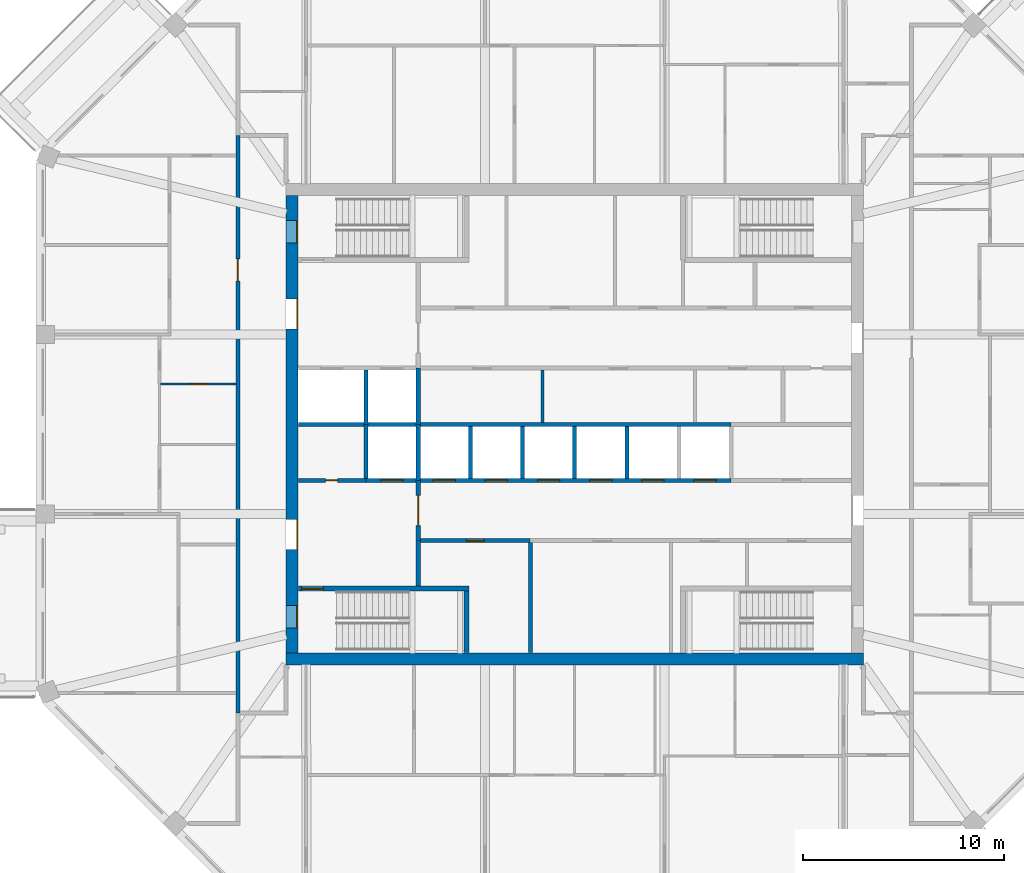
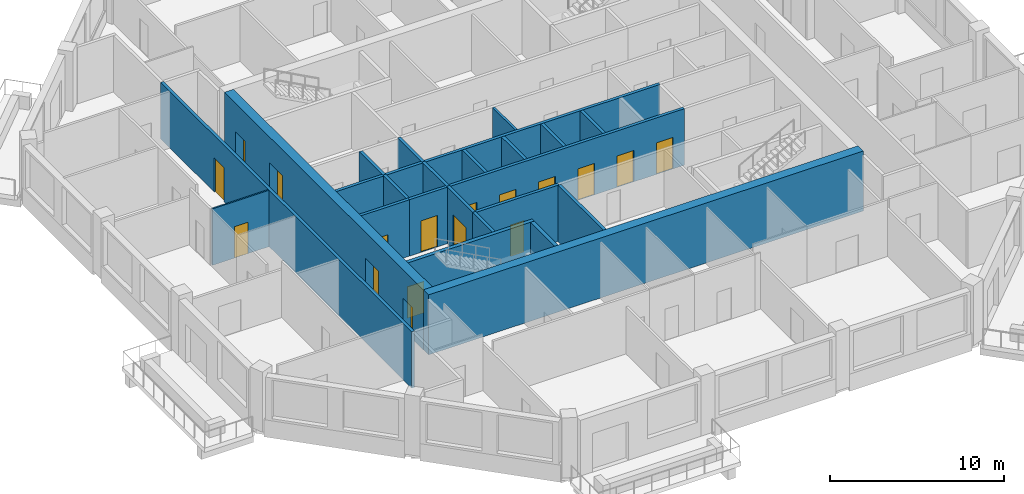
# One storey, part 4 of 11: 22 walls, 17 doors, 17 openings.
"""IFC4 building model written with IfcOpenShell, lengths in metres."""

from ifc_helpers import new_model, si_unit, direction, frame, frame_2d, origin, place, context, subcontext, project, spatial, rectangle, extrude, material, layer, layer_set, type_object, element, fill, save


model = new_model("IFC4")

# Units and contexts
model_context = context("Model", 3, precision=1e-05, world=origin(), true_north=direction((0.0, 1.0)))
body_context = subcontext(model_context, "Body", "Model", "MODEL_VIEW")
ifc_project = project(units=[si_unit("LENGTHUNIT", "METRE"), si_unit("AREAUNIT", "SQUARE_METRE"), si_unit("VOLUMEUNIT", "CUBIC_METRE"), si_unit("PLANEANGLEUNIT", "RADIAN"), si_unit("MASSUNIT", "GRAM", prefix="KILO")], contexts=[model_context])

# Site, building, storey
site_placement = place(None, origin())
site = spatial("IfcSite", under=ifc_project, at=site_placement, CompositionType="ELEMENT")
building_placement = place(site_placement, origin())
building = spatial("IfcBuilding", under=site, at=building_placement, Name="Msitu Wima Residences", CompositionType="ELEMENT")
storey_placement = place(building_placement, frame((0.0, 0.0, 302.10009765625)))
storey = spatial("IfcBuildingStorey", under=building, at=storey_placement, Name="L70", CompositionType="ELEMENT", Elevation=302.10009765625)

# Wall
ifc_material_1 = material(Name="Concrete C50/60", Category="concrete")
ifc_layer_1 = layer(ifc_material_1, 0.60009765625)
ifc_layer_set_1 = layer_set([ifc_layer_1], Name="Concrete C50/60")
wall_type_1 = type_object("IfcWallType", Name="Core wall CW600 C50/60", PredefinedType="SHEAR", material=ifc_layer_set_1)
wall_1_placement = place(storey_placement, frame((-14.39990234375, -11.699951171875, 0.0), z_axis=(0.0, 0.0, 1.0), x_axis=(1.0, 0.0, 0.0)))
element("IfcWall", 1, at=wall_1_placement, inside=storey, type_object=wall_type_1, Name="Core wall", PredefinedType="SHEAR", context=body_context, shape_type="SweptSolid", body=[
    extrude(rectangle(XDim=28.7998046875, YDim=0.60009765625, at=frame_2d((14.39990234375, 0.0))), origin(), (0.0, 0.0, 1.0), 4.199951171875),
])

# Wall, openings, doors
wall_2_placement = place(storey_placement, frame((-14.10009765625, -11.39990234375, 0.0), z_axis=(0.0, 0.0, 1.0), x_axis=(0.0, 1.0, 0.0)))
wall_2 = element("IfcWall", 2, at=wall_2_placement, inside=storey, type_object=wall_type_1, Name="Core wall", PredefinedType="SHEAR", context=body_context, shape_type="SweptSolid", body=[
    extrude(rectangle(XDim=22.7998046875, YDim=0.60009765625, at=frame_2d((11.39990234375, 0.0))), origin(), (0.0, 0.0, 1.0), 4.199951171875),
])
opening_1_placement = place(wall_2_placement, frame((20.449951171875, 0.0, 0.0)))
opening_1 = element("IfcOpeningElement", 3, at=opening_1_placement, cuts=wall_2, Name="Opening D68-70.078", PredefinedType="OPENING", context=body_context, shape_type="SweptSolid", body=[
    extrude(rectangle(XDim=1.10009765625, YDim=2.199951171875, at=frame_2d((0.550048828125, 1.10009765625))), frame((0.0, 0.31005859375, 0.0), z_axis=(0.0, -1.0, 0.0), x_axis=(1.0, 0.0, 0.0)), (0.0, 0.0, 1.0), 0.6201171875),
])
opening_2_placement = place(wall_2_placement, frame((1.25, 0.0, 0.0)))
opening_2 = element("IfcOpeningElement", 4, at=opening_2_placement, cuts=wall_2, Name="Opening D68-70.080", PredefinedType="OPENING", context=body_context, shape_type="SweptSolid", body=[
    extrude(rectangle(XDim=1.10009765625, YDim=2.199951171875, at=frame_2d((0.550048828125, 1.10009765625))), frame((0.0, 0.31005859375, 0.0), z_axis=(0.0, -1.0, 0.0), x_axis=(1.0, 0.0, 0.0)), (0.0, 0.0, 1.0), 0.6201171875),
])
opening_3_placement = place(wall_2_placement, frame((16.14990234375, 0.0, 0.0)))
opening_3 = element("IfcOpeningElement", 5, at=opening_3_placement, cuts=wall_2, Name="Opening D68-70.058", PredefinedType="OPENING", context=body_context, shape_type="SweptSolid", body=[
    extrude(rectangle(XDim=1.5, YDim=2.39990234375, at=frame_2d((0.75, 1.199951171875))), frame((0.0, 0.31005859375, 0.0), z_axis=(0.0, -1.0, 0.0), x_axis=(1.0, 0.0, 0.0)), (0.0, 0.0, 1.0), 0.6201171875),
])
opening_4_placement = place(wall_2_placement, frame((5.14990234375, 0.0, 0.0)))
opening_4 = element("IfcOpeningElement", 6, at=opening_4_placement, cuts=wall_2, Name="Opening D68-70.060", PredefinedType="OPENING", context=body_context, shape_type="SweptSolid", body=[
    extrude(rectangle(XDim=1.5, YDim=2.39990234375, at=frame_2d((0.75, 1.199951171875))), frame((0.0, 0.31005859375, 0.0), z_axis=(0.0, -1.0, 0.0), x_axis=(1.0, 0.0, 0.0)), (0.0, 0.0, 1.0), 0.6201171875),
])
ifc_material_2 = material(Name="Steel framed glazed door, fire resisting", Category="steel")
door_type_1 = type_object("IfcDoorType", Name="Lobby door D07 1500x2400", OperationType="DOUBLE_DOOR_SINGLE_SWING", PredefinedType="DOOR", material=ifc_material_2)
door_1_placement = place(opening_3_placement, origin())
door_1 = element("IfcDoor", 7, at=door_1_placement, inside=storey, type_object=door_type_1, Name="Lobby door", OperationType="DOUBLE_DOOR_SINGLE_SWING", OverallHeight=2.39990234375, OverallWidth=1.5, PredefinedType="DOOR", context=body_context, shape_type="SweptSolid", body=[
    extrude(rectangle(XDim=1.5, YDim=2.39990234375, at=frame_2d((0.75, 1.199951171875))), frame((0.0, -0.2451171875, 0.0), z_axis=(0.0, -1.0, 0.0), x_axis=(1.0, 0.0, 0.0)), (0.0, 0.0, 1.0), 0.050048828125),
])
fill(opening_3, door_1)
door_2_placement = place(opening_4_placement, origin())
door_2 = element("IfcDoor", 8, at=door_2_placement, inside=storey, type_object=door_type_1, Name="Lobby door", OperationType="DOUBLE_DOOR_SINGLE_SWING", OverallHeight=2.39990234375, OverallWidth=1.5, PredefinedType="DOOR", context=body_context, shape_type="SweptSolid", body=[
    extrude(rectangle(XDim=1.5, YDim=2.39990234375, at=frame_2d((0.75, 1.199951171875))), frame((0.0, -0.2451171875, 0.0), z_axis=(0.0, -1.0, 0.0), x_axis=(1.0, 0.0, 0.0)), (0.0, 0.0, 1.0), 0.050048828125),
])
fill(opening_4, door_2)
ifc_material_3 = material(Name="Steel door, fire resisting, panic bar", Category="steel")
door_type_2 = type_object("IfcDoorType", Name="Stair door D06 1100x2200", OperationType="SINGLE_SWING_LEFT", PredefinedType="DOOR", material=ifc_material_3)
door_3_placement = place(opening_1_placement, origin())
door_3 = element("IfcDoor", 9, at=door_3_placement, inside=storey, type_object=door_type_2, Name="Stair door", OperationType="SINGLE_SWING_RIGHT", OverallHeight=2.199951171875, OverallWidth=1.10009765625, PredefinedType="DOOR", context=body_context, shape_type="SweptSolid", body=[
    extrude(rectangle(XDim=1.10009765625, YDim=2.199951171875, at=frame_2d((0.550048828125, 1.10009765625))), frame((0.0, -0.2451171875, 0.0), z_axis=(0.0, -1.0, 0.0), x_axis=(1.0, 0.0, 0.0)), (0.0, 0.0, 1.0), 0.050048828125),
])
fill(opening_1, door_3)
door_4_placement = place(opening_2_placement, origin())
door_4 = element("IfcDoor", 10, at=door_4_placement, inside=storey, type_object=door_type_2, Name="Stair door", OperationType="SINGLE_SWING_LEFT", OverallHeight=2.199951171875, OverallWidth=1.10009765625, PredefinedType="DOOR", context=body_context, shape_type="SweptSolid", body=[
    extrude(rectangle(XDim=1.10009765625, YDim=2.199951171875, at=frame_2d((0.550048828125, 1.10009765625))), frame((0.0, -0.2451171875, 0.0), z_axis=(0.0, -1.0, 0.0), x_axis=(1.0, 0.0, 0.0)), (0.0, 0.0, 1.0), 0.050048828125),
])
fill(opening_2, door_4)

# Wall, opening, door
ifc_material_4 = material(Name="Plaster")
ifc_layer_2 = layer(ifc_material_4, 0.011962890625, Name="Plaster")
ifc_material_5 = material(Name="Concrete blockwork", Category="masonry")
ifc_layer_3 = layer(ifc_material_5, 0.176025390625, Name="Concrete blockwork")
ifc_layer_4 = layer(ifc_material_4, 0.011962890625, Name="Plaster")
ifc_layer_set_2 = layer_set([ifc_layer_2, ifc_layer_3, ifc_layer_4], Name="Concrete blockwork")
wall_type_2 = type_object("IfcWallType", Name="Corridor wall FW200", PredefinedType="PARTITIONING", material=ifc_layer_set_2)
wall_3_placement = place(storey_placement, frame((-16.800048828125, -14.39990234375, 0.0), z_axis=(0.0, 0.0, 1.0), x_axis=(0.0, 1.0, 0.0)))
wall_3 = element("IfcWall", 11, at=wall_3_placement, inside=storey, type_object=wall_type_2, Name="Corridor wall", PredefinedType="PARTITIONING", context=body_context, shape_type="SweptSolid", body=[
    extrude(rectangle(XDim=28.7998046875, YDim=0.199951171875, at=frame_2d((14.39990234375, 0.0))), origin(), (0.0, 0.0, 1.0), 3.949951171875),
])
opening_5_placement = place(wall_3_placement, frame((21.550048828125, 0.0, 0.0)))
opening_5 = element("IfcOpeningElement", 12, at=opening_5_placement, cuts=wall_3, Name="Opening D68-70.034", PredefinedType="OPENING", context=body_context, shape_type="SweptSolid", body=[
    extrude(rectangle(XDim=1.10009765625, YDim=2.39990234375, at=frame_2d((0.550048828125, 1.199951171875))), frame((0.0, 0.10986328125, 0.0), z_axis=(0.0, -1.0, 0.0), x_axis=(1.0, 0.0, 0.0)), (0.0, 0.0, 1.0), 0.219970703125),
])
ifc_material_6 = material(Name="Timber flush door, fire resisting, self-closing", Category="wood")
door_type_3 = type_object("IfcDoorType", Name="Flat entrance door D01 1100x2400", OperationType="SINGLE_SWING_LEFT", PredefinedType="DOOR", material=ifc_material_6)
door_5_placement = place(opening_5_placement, origin())
door_5 = element("IfcDoor", 13, at=door_5_placement, inside=storey, type_object=door_type_3, Name="Flat entrance door", OperationType="SINGLE_SWING_RIGHT", OverallHeight=2.39990234375, OverallWidth=1.10009765625, PredefinedType="DOOR", context=body_context, shape_type="SweptSolid", body=[
    extrude(rectangle(XDim=1.10009765625, YDim=2.39990234375, at=frame_2d((0.550048828125, 1.199951171875))), frame((0.0, 0.02490234375, 0.0), z_axis=(0.0, -1.0, 0.0), x_axis=(1.0, 0.0, 0.0)), (0.0, 0.0, 1.0), 0.050048828125),
])
fill(opening_5, door_5)

wall_4_placement = place(storey_placement, frame((-7.800048828125, -5.800048828125, 0.0), z_axis=(0.0, 0.0, 1.0), x_axis=(0.0, 1.0, 0.0)))
wall_4 = element("IfcWall", 14, at=wall_4_placement, inside=storey, type_object=wall_type_2, Name="Corridor wall", PredefinedType="PARTITIONING", context=body_context, shape_type="SweptSolid", body=[
    extrude(rectangle(XDim=3.0, YDim=0.199951171875, at=frame_2d((1.5, 0.0))), origin(), (0.0, 0.0, 1.0), 3.949951171875),
])
opening_6_placement = place(wall_4_placement, frame((0.75, 0.0, 0.0)))
opening_6 = element("IfcOpeningElement", 15, at=opening_6_placement, cuts=wall_4, Name="Opening D68-70.061", PredefinedType="OPENING", context=body_context, shape_type="SweptSolid", body=[
    extrude(rectangle(XDim=1.5, YDim=2.39990234375, at=frame_2d((0.75, 1.199951171875))), frame((0.0, 0.10986328125, 0.0), z_axis=(0.0, -1.0, 0.0), x_axis=(1.0, 0.0, 0.0)), (0.0, 0.0, 1.0), 0.219970703125),
])
door_6_placement = place(opening_6_placement, origin())
door_6 = element("IfcDoor", 16, at=door_6_placement, inside=storey, type_object=door_type_1, Name="Lobby door", OperationType="DOUBLE_DOOR_SINGLE_SWING", OverallHeight=2.39990234375, OverallWidth=1.5, PredefinedType="DOOR", context=body_context, shape_type="SweptSolid", body=[
    extrude(rectangle(XDim=1.5, YDim=2.39990234375, at=frame_2d((0.75, 1.199951171875))), frame((0.0, 0.02490234375, 0.0), z_axis=(0.0, -1.0, 0.0), x_axis=(1.0, 0.0, 0.0)), (0.0, 0.0, 1.0), 0.050048828125),
])
fill(opening_6, door_6)

# Wall
ifc_layer_5 = layer(ifc_material_4, 0.011962890625, Name="Plaster")
ifc_layer_6 = layer(ifc_material_5, 0.1259765625, Name="Concrete blockwork")
ifc_layer_7 = layer(ifc_material_4, 0.011962890625, Name="Plaster")
ifc_layer_set_3 = layer_set([ifc_layer_5, ifc_layer_6, ifc_layer_7], Name="Concrete blockwork")
wall_type_3 = type_object("IfcWallType", Name="Partition PW150", PredefinedType="PARTITIONING", material=ifc_layer_set_3)
wall_5_placement = place(storey_placement, frame((-1.60009765625, 0.10009765625, 0.0), z_axis=(0.0, 0.0, 1.0), x_axis=(0.0, 1.0, 0.0)))
element("IfcWall", 17, at=wall_5_placement, inside=storey, type_object=wall_type_3, Name="Partition", PredefinedType="PARTITIONING", context=body_context, shape_type="SweptSolid", body=[
    extrude(rectangle(XDim=2.599853515625, YDim=0.14990234375, at=frame_2d((1.2998046875, 0.0))), origin(), (0.0, 0.0, 1.0), 3.949951171875),
])

# Wall, opening, door
ifc_layer_8 = layer(ifc_material_4, 0.011962890625, Name="Plaster")
ifc_material_7 = material(Name="Reinforced concrete blockwork", Category="masonry")
ifc_layer_9 = layer(ifc_material_7, 0.176025390625, Name="Reinforced concrete blockwork")
ifc_layer_10 = layer(ifc_material_4, 0.011962890625, Name="Plaster")
ifc_layer_set_4 = layer_set([ifc_layer_8, ifc_layer_9, ifc_layer_10], Name="Reinforced concrete blockwork")
wall_type_4 = type_object("IfcWallType", Name="Plant and riser wall PL200", PredefinedType="PARTITIONING", material=ifc_layer_set_4)
wall_6_placement = place(storey_placement, frame((-13.77001953125, -2.800048828125, 0.0), z_axis=(0.0, 0.0, 1.0), x_axis=(1.0, 0.0, 0.0)))
wall_6 = element("IfcWall", 18, at=wall_6_placement, inside=storey, type_object=wall_type_4, Name="Plant and riser wall", PredefinedType="PARTITIONING", context=body_context, shape_type="SweptSolid", body=[
    extrude(rectangle(XDim=3.3701171875, YDim=0.199951171875, at=frame_2d((1.68505859375, 0.0))), origin(), (0.0, 0.0, 1.0), 3.949951171875),
])
opening_7_placement = place(wall_6_placement, frame((1.35009765625, 0.0, 0.0)))
opening_7 = element("IfcOpeningElement", 19, at=opening_7_placement, cuts=wall_6, Name="Opening D68-70.077", PredefinedType="OPENING", context=body_context, shape_type="SweptSolid", body=[
    extrude(rectangle(XDim=0.60009765625, YDim=2.0, at=frame_2d((0.300048828125, 1.0))), frame((0.0, 0.10986328125, 0.0), z_axis=(0.0, -1.0, 0.0), x_axis=(1.0, 0.0, 0.0)), (0.0, 0.0, 1.0), 0.219970703125),
])
ifc_material_8 = material(Name="Steel access door, fire resisting", Category="steel")
door_type_4 = type_object("IfcDoorType", Name="Riser access door D08 600x2000", OperationType="SINGLE_SWING_LEFT", PredefinedType="DOOR", material=ifc_material_8)
door_7_placement = place(opening_7_placement, origin())
door_7 = element("IfcDoor", 20, at=door_7_placement, inside=storey, type_object=door_type_4, Name="Riser access door", OperationType="SINGLE_SWING_RIGHT", OverallHeight=2.0, OverallWidth=0.60009765625, PredefinedType="DOOR", context=body_context, shape_type="SweptSolid", body=[
    extrude(rectangle(XDim=0.60009765625, YDim=2.0, at=frame_2d((0.300048828125, 1.0))), frame((0.0, 0.02490234375, 0.0), z_axis=(0.0, -1.0, 0.0), x_axis=(1.0, 0.0, 0.0)), (0.0, 0.0, 1.0), 0.050048828125),
])
fill(opening_7, door_7)

# Wall
wall_7_placement = place(storey_placement, frame((-7.800048828125, -8.074951171875, 0.0), z_axis=(0.0, 0.0, 1.0), x_axis=(0.0, 1.0, 0.0)))
element("IfcWall", 21, at=wall_7_placement, inside=storey, type_object=wall_type_4, Name="Plant and riser wall", PredefinedType="PARTITIONING", context=body_context, shape_type="SweptSolid", body=[
    extrude(rectangle(XDim=2.27490234375, YDim=0.199951171875, at=frame_2d((1.137451171875, 0.0))), origin(), (0.0, 0.0, 1.0), 3.949951171875),
])

# Wall, opening, door
wall_8_placement = place(storey_placement, frame((-7.699951171875, -5.800048828125, 0.0), z_axis=(0.0, 0.0, 1.0), x_axis=(1.0, 0.0, 0.0)))
wall_8 = element("IfcWall", 22, at=wall_8_placement, inside=storey, type_object=wall_type_4, Name="Plant and riser wall", PredefinedType="PARTITIONING", context=body_context, shape_type="SweptSolid", body=[
    extrude(rectangle(XDim=5.47998046875, YDim=0.199951171875, at=frame_2d((2.739990234375, 0.0))), origin(), (0.0, 0.0, 1.0), 3.949951171875),
])
opening_8_placement = place(wall_8_placement, frame((2.300048828125, 0.0, 0.0)))
opening_8 = element("IfcOpeningElement", 23, at=opening_8_placement, cuts=wall_8, Name="Opening D68-70.067", PredefinedType="OPENING", context=body_context, shape_type="SweptSolid", body=[
    extrude(rectangle(XDim=0.89990234375, YDim=2.199951171875, at=frame_2d((0.449951171875, 1.10009765625))), frame((0.0, 0.10986328125, 0.0), z_axis=(0.0, -1.0, 0.0), x_axis=(1.0, 0.0, 0.0)), (0.0, 0.0, 1.0), 0.219970703125),
])
ifc_material_9 = material(Name="Timber flush door", Category="wood")
door_type_5 = type_object("IfcDoorType", Name="Service door D05 900x2200", OperationType="SINGLE_SWING_LEFT", PredefinedType="DOOR", material=ifc_material_9)
door_8_placement = place(opening_8_placement, origin())
door_8 = element("IfcDoor", 24, at=door_8_placement, inside=storey, type_object=door_type_5, Name="Service door", OperationType="SINGLE_SWING_LEFT", OverallHeight=2.199951171875, OverallWidth=0.89990234375, PredefinedType="DOOR", context=body_context, shape_type="SweptSolid", body=[
    extrude(rectangle(XDim=0.89990234375, YDim=2.199951171875, at=frame_2d((0.449951171875, 1.10009765625))), frame((0.0, 0.02490234375, 0.0), z_axis=(0.0, -1.0, 0.0), x_axis=(1.0, 0.0, 0.0)), (0.0, 0.0, 1.0), 0.050048828125),
])
fill(opening_8, door_8)

# Walls
wall_9_placement = place(storey_placement, frame((-2.199951171875, -11.3701171875, 0.0), z_axis=(0.0, 0.0, 1.0), x_axis=(0.0, 1.0, 0.0)))
element("IfcWall", 25, at=wall_9_placement, inside=storey, type_object=wall_type_4, Name="Plant and riser wall", PredefinedType="PARTITIONING", context=body_context, shape_type="SweptSolid", body=[
    extrude(rectangle(XDim=5.47021484375, YDim=0.199951171875, at=frame_2d((2.735107421875, 0.0))), origin(), (0.0, 0.0, 1.0), 3.949951171875),
])
ifc_material_10 = material(Name="Fire-rated board")
ifc_layer_11 = layer(ifc_material_10, 0.02490234375, Name="Fire-rated board")
ifc_material_11 = material(Name="Light-gauge stud framing with mineral wool")
ifc_layer_12 = layer(ifc_material_11, 0.14990234375, Name="Light-gauge stud framing with mineral wool")
ifc_layer_13 = layer(ifc_material_10, 0.02490234375, Name="Fire-rated board")
ifc_layer_set_5 = layer_set([ifc_layer_11, ifc_layer_12, ifc_layer_13], Name="Light-gauge stud framing with mineral wool")
wall_type_5 = type_object("IfcWallType", Name="Shaft wall SH200", PredefinedType="PARTITIONING", material=ifc_layer_set_5)
wall_10_placement = place(storey_placement, frame((-13.77001953125, 0.0, 0.0), z_axis=(0.0, 0.0, 1.0), x_axis=(1.0, 0.0, 0.0)))
element("IfcWall", 26, at=wall_10_placement, inside=storey, type_object=wall_type_5, Name="Shaft wall", PredefinedType="PARTITIONING", context=body_context, shape_type="SweptSolid", body=[
    extrude(rectangle(XDim=21.570068359375, YDim=0.199951171875, at=frame_2d((10.78515625, 0.0))), origin(), (0.0, 0.0, 1.0), 3.949951171875),
])
wall_11_placement = place(storey_placement, frame((-10.39990234375, -2.699951171875, 0.0), z_axis=(0.0, 0.0, 1.0), x_axis=(0.0, 1.0, 0.0)))
element("IfcWall", 27, at=wall_11_placement, inside=storey, type_object=wall_type_5, Name="Shaft wall", PredefinedType="PARTITIONING", context=body_context, shape_type="SweptSolid", body=[
    extrude(rectangle(XDim=2.699951171875, YDim=0.199951171875, at=frame_2d((1.35009765625, 0.0))), origin(), (0.0, 0.0, 1.0), 3.949951171875),
])

# Wall, openings, doors
wall_12_placement = place(storey_placement, frame((-10.39990234375, -2.800048828125, 0.0), z_axis=(0.0, 0.0, 1.0), x_axis=(1.0, 0.0, 0.0)))
wall_12 = element("IfcWall", 28, at=wall_12_placement, inside=storey, type_object=wall_type_5, Name="Shaft wall", PredefinedType="PARTITIONING", context=body_context, shape_type="SweptSolid", body=[
    extrude(rectangle(XDim=18.199951171875, YDim=0.199951171875, at=frame_2d((9.10009765625, 0.0))), origin(), (0.0, 0.0, 1.0), 3.949951171875),
])
opening_9_placement = place(wall_12_placement, frame((0.75, 0.0, 0.0)))
opening_9 = element("IfcOpeningElement", 29, at=opening_9_placement, cuts=wall_12, Name="Opening LD", PredefinedType="OPENING", context=body_context, shape_type="SweptSolid", body=[
    extrude(rectangle(XDim=1.10009765625, YDim=2.199951171875, at=frame_2d((0.550048828125, 1.10009765625))), frame((0.0, 0.10986328125, 0.0), z_axis=(0.0, -1.0, 0.0), x_axis=(1.0, 0.0, 0.0)), (0.0, 0.0, 1.0), 0.219970703125),
])
opening_10_placement = place(wall_12_placement, frame((3.35009765625, 0.0, 0.0)))
opening_10 = element("IfcOpeningElement", 30, at=opening_10_placement, cuts=wall_12, Name="Opening LD", PredefinedType="OPENING", context=body_context, shape_type="SweptSolid", body=[
    extrude(rectangle(XDim=1.10009765625, YDim=2.199951171875, at=frame_2d((0.550048828125, 1.10009765625))), frame((0.0, 0.10986328125, 0.0), z_axis=(0.0, -1.0, 0.0), x_axis=(1.0, 0.0, 0.0)), (0.0, 0.0, 1.0), 0.219970703125),
])
opening_11_placement = place(wall_12_placement, frame((5.949951171875, 0.0, 0.0)))
opening_11 = element("IfcOpeningElement", 31, at=opening_11_placement, cuts=wall_12, Name="Opening LD", PredefinedType="OPENING", context=body_context, shape_type="SweptSolid", body=[
    extrude(rectangle(XDim=1.10009765625, YDim=2.199951171875, at=frame_2d((0.550048828125, 1.10009765625))), frame((0.0, 0.10986328125, 0.0), z_axis=(0.0, -1.0, 0.0), x_axis=(1.0, 0.0, 0.0)), (0.0, 0.0, 1.0), 0.219970703125),
])
opening_12_placement = place(wall_12_placement, frame((8.550048828125, 0.0, 0.0)))
opening_12 = element("IfcOpeningElement", 32, at=opening_12_placement, cuts=wall_12, Name="Opening LD", PredefinedType="OPENING", context=body_context, shape_type="SweptSolid", body=[
    extrude(rectangle(XDim=1.10009765625, YDim=2.199951171875, at=frame_2d((0.550048828125, 1.10009765625))), frame((0.0, 0.10986328125, 0.0), z_axis=(0.0, -1.0, 0.0), x_axis=(1.0, 0.0, 0.0)), (0.0, 0.0, 1.0), 0.219970703125),
])
opening_13_placement = place(wall_12_placement, frame((11.14990234375, 0.0, 0.0)))
opening_13 = element("IfcOpeningElement", 33, at=opening_13_placement, cuts=wall_12, Name="Opening LD", PredefinedType="OPENING", context=body_context, shape_type="SweptSolid", body=[
    extrude(rectangle(XDim=1.10009765625, YDim=2.199951171875, at=frame_2d((0.550048828125, 1.10009765625))), frame((0.0, 0.10986328125, 0.0), z_axis=(0.0, -1.0, 0.0), x_axis=(1.0, 0.0, 0.0)), (0.0, 0.0, 1.0), 0.219970703125),
])
opening_14_placement = place(wall_12_placement, frame((13.75, 0.0, 0.0)))
opening_14 = element("IfcOpeningElement", 34, at=opening_14_placement, cuts=wall_12, Name="Opening LD", PredefinedType="OPENING", context=body_context, shape_type="SweptSolid", body=[
    extrude(rectangle(XDim=1.10009765625, YDim=2.199951171875, at=frame_2d((0.550048828125, 1.10009765625))), frame((0.0, 0.10986328125, 0.0), z_axis=(0.0, -1.0, 0.0), x_axis=(1.0, 0.0, 0.0)), (0.0, 0.0, 1.0), 0.219970703125),
])
opening_15_placement = place(wall_12_placement, frame((16.35009765625, 0.0, 0.0)))
opening_15 = element("IfcOpeningElement", 35, at=opening_15_placement, cuts=wall_12, Name="Opening LD", PredefinedType="OPENING", context=body_context, shape_type="SweptSolid", body=[
    extrude(rectangle(XDim=1.10009765625, YDim=2.199951171875, at=frame_2d((0.550048828125, 1.10009765625))), frame((0.0, 0.10986328125, 0.0), z_axis=(0.0, -1.0, 0.0), x_axis=(1.0, 0.0, 0.0)), (0.0, 0.0, 1.0), 0.219970703125),
])
ifc_material_12 = material(Name="Stainless steel centre-opening landing door, rated", Category="steel")
door_type_6 = type_object("IfcDoorType", Name="Lift landing door LD 1100x2200", OperationType="DOUBLE_DOOR_SLIDING", PredefinedType="DOOR", material=ifc_material_12)
door_9_placement = place(opening_9_placement, origin())
door_9 = element("IfcDoor", 36, at=door_9_placement, inside=storey, type_object=door_type_6, Name="Lift landing door LD3", OperationType="DOUBLE_DOOR_SLIDING", OverallHeight=2.199951171875, OverallWidth=1.10009765625, PredefinedType="DOOR", context=body_context, shape_type="SweptSolid", body=[
    extrude(rectangle(XDim=1.10009765625, YDim=2.199951171875, at=frame_2d((0.550048828125, 1.10009765625))), frame((0.0, 0.02490234375, 0.0), z_axis=(0.0, -1.0, 0.0), x_axis=(1.0, 0.0, 0.0)), (0.0, 0.0, 1.0), 0.050048828125),
])
fill(opening_9, door_9)
door_10_placement = place(opening_10_placement, origin())
door_10 = element("IfcDoor", 37, at=door_10_placement, inside=storey, type_object=door_type_6, Name="Lift landing door LD5", OperationType="DOUBLE_DOOR_SLIDING", OverallHeight=2.199951171875, OverallWidth=1.10009765625, PredefinedType="DOOR", context=body_context, shape_type="SweptSolid", body=[
    extrude(rectangle(XDim=1.10009765625, YDim=2.199951171875, at=frame_2d((0.550048828125, 1.10009765625))), frame((0.0, 0.02490234375, 0.0), z_axis=(0.0, -1.0, 0.0), x_axis=(1.0, 0.0, 0.0)), (0.0, 0.0, 1.0), 0.050048828125),
])
fill(opening_10, door_10)
door_11_placement = place(opening_11_placement, origin())
door_11 = element("IfcDoor", 38, at=door_11_placement, inside=storey, type_object=door_type_6, Name="Lift landing door LD7", OperationType="DOUBLE_DOOR_SLIDING", OverallHeight=2.199951171875, OverallWidth=1.10009765625, PredefinedType="DOOR", context=body_context, shape_type="SweptSolid", body=[
    extrude(rectangle(XDim=1.10009765625, YDim=2.199951171875, at=frame_2d((0.550048828125, 1.10009765625))), frame((0.0, 0.02490234375, 0.0), z_axis=(0.0, -1.0, 0.0), x_axis=(1.0, 0.0, 0.0)), (0.0, 0.0, 1.0), 0.050048828125),
])
fill(opening_11, door_11)
door_12_placement = place(opening_12_placement, origin())
door_12 = element("IfcDoor", 39, at=door_12_placement, inside=storey, type_object=door_type_6, Name="Lift landing door LD9", OperationType="DOUBLE_DOOR_SLIDING", OverallHeight=2.199951171875, OverallWidth=1.10009765625, PredefinedType="DOOR", context=body_context, shape_type="SweptSolid", body=[
    extrude(rectangle(XDim=1.10009765625, YDim=2.199951171875, at=frame_2d((0.550048828125, 1.10009765625))), frame((0.0, 0.02490234375, 0.0), z_axis=(0.0, -1.0, 0.0), x_axis=(1.0, 0.0, 0.0)), (0.0, 0.0, 1.0), 0.050048828125),
])
fill(opening_12, door_12)
door_13_placement = place(opening_13_placement, origin())
door_13 = element("IfcDoor", 40, at=door_13_placement, inside=storey, type_object=door_type_6, Name="Lift landing door LD11", OperationType="DOUBLE_DOOR_SLIDING", OverallHeight=2.199951171875, OverallWidth=1.10009765625, PredefinedType="DOOR", context=body_context, shape_type="SweptSolid", body=[
    extrude(rectangle(XDim=1.10009765625, YDim=2.199951171875, at=frame_2d((0.550048828125, 1.10009765625))), frame((0.0, 0.02490234375, 0.0), z_axis=(0.0, -1.0, 0.0), x_axis=(1.0, 0.0, 0.0)), (0.0, 0.0, 1.0), 0.050048828125),
])
fill(opening_13, door_13)
door_14_placement = place(opening_14_placement, origin())
door_14 = element("IfcDoor", 41, at=door_14_placement, inside=storey, type_object=door_type_6, Name="Lift landing door LD13", OperationType="DOUBLE_DOOR_SLIDING", OverallHeight=2.199951171875, OverallWidth=1.10009765625, PredefinedType="DOOR", context=body_context, shape_type="SweptSolid", body=[
    extrude(rectangle(XDim=1.10009765625, YDim=2.199951171875, at=frame_2d((0.550048828125, 1.10009765625))), frame((0.0, 0.02490234375, 0.0), z_axis=(0.0, -1.0, 0.0), x_axis=(1.0, 0.0, 0.0)), (0.0, 0.0, 1.0), 0.050048828125),
])
fill(opening_14, door_14)
door_15_placement = place(opening_15_placement, origin())
door_15 = element("IfcDoor", 42, at=door_15_placement, inside=storey, type_object=door_type_6, Name="Lift landing door LD15", OperationType="DOUBLE_DOOR_SLIDING", OverallHeight=2.199951171875, OverallWidth=1.10009765625, PredefinedType="DOOR", context=body_context, shape_type="SweptSolid", body=[
    extrude(rectangle(XDim=1.10009765625, YDim=2.199951171875, at=frame_2d((0.550048828125, 1.10009765625))), frame((0.0, 0.02490234375, 0.0), z_axis=(0.0, -1.0, 0.0), x_axis=(1.0, 0.0, 0.0)), (0.0, 0.0, 1.0), 0.050048828125),
])
fill(opening_15, door_15)

# Walls
wall_13_placement = place(storey_placement, frame((-10.39990234375, 0.0, 0.0), z_axis=(0.0, 0.0, 1.0), x_axis=(0.0, 1.0, 0.0)))
element("IfcWall", 43, at=wall_13_placement, inside=storey, type_object=wall_type_5, Name="Shaft wall", PredefinedType="PARTITIONING", context=body_context, shape_type="SweptSolid", body=[
    extrude(rectangle(XDim=2.699951171875, YDim=0.199951171875, at=frame_2d((1.35009765625, 0.0))), origin(), (0.0, 0.0, 1.0), 3.949951171875),
])
for number, where, z_axis, x_axis, name in (
    (44, (-7.800048828125, -2.800048828125, 0.0), (0.0, 0.0, 1.0), (0.0, 1.0, 0.0), "Shaft wall"),
    (45, (-7.800048828125, 0.0, 0.0), (0.0, 0.0, 1.0), (0.0, 1.0, 0.0), "Shaft wall"),
):
    element("IfcWall", number, at=place(storey_placement, frame(where, z_axis=z_axis, x_axis=x_axis)), inside=storey, type_object=wall_type_5, Name=name, PredefinedType="PARTITIONING", context=body_context, shape_type="SweptSolid", body=[
        extrude(rectangle(XDim=2.800048828125, YDim=0.199951171875, at=frame_2d((1.39990234375, 0.0))), origin(), (0.0, 0.0, 1.0), 3.949951171875),
    ])
for number, where, z_axis, x_axis, name in (
    (46, (-5.199951171875, -2.699951171875, 0.0), (0.0, 0.0, 1.0), (0.0, 1.0, 0.0), "Shaft wall"),
    (47, (-2.60009765625, -2.699951171875, 0.0), (0.0, 0.0, 1.0), (0.0, 1.0, 0.0), "Shaft wall"),
    (48, (0.0, -2.699951171875, 0.0), (0.0, 0.0, 1.0), (0.0, 1.0, 0.0), "Shaft wall"),
    (49, (2.60009765625, -2.699951171875, 0.0), (0.0, 0.0, 1.0), (0.0, 1.0, 0.0), "Shaft wall"),
):
    element("IfcWall", number, at=place(storey_placement, frame(where, z_axis=z_axis, x_axis=x_axis)), inside=storey, type_object=wall_type_5, Name=name, PredefinedType="PARTITIONING", context=body_context, shape_type="SweptSolid", body=[
        extrude(rectangle(XDim=2.599853515625, YDim=0.199951171875, at=frame_2d((1.2998046875, 0.0))), origin(), (0.0, 0.0, 1.0), 3.949951171875),
    ])

# Wall, opening, door
ifc_layer_14 = layer(ifc_material_1, 0.25)
ifc_layer_set_6 = layer_set([ifc_layer_14], Name="Concrete C50/60")
wall_type_6 = type_object("IfcWallType", Name="Stair enclosure wall SW250", PredefinedType="SHEAR", material=ifc_layer_set_6)
wall_14_placement = place(storey_placement, frame((-13.77001953125, -8.199951171875, 0.0), z_axis=(0.0, 0.0, 1.0), x_axis=(1.0, 0.0, 0.0)))
wall_14 = element("IfcWall", 50, at=wall_14_placement, inside=storey, type_object=wall_type_6, Name="Stair enclosure wall", PredefinedType="SHEAR", context=body_context, shape_type="SweptSolid", body=[
    extrude(rectangle(XDim=8.4951171875, YDim=0.25, at=frame_2d((4.24755859375, 0.0))), origin(), (0.0, 0.0, 1.0), 3.949951171875),
])
opening_16_placement = place(wall_14_placement, frame((0.14990234375, 0.0, 0.0)))
opening_16 = element("IfcOpeningElement", 51, at=opening_16_placement, cuts=wall_14, Name="Opening D68-70.081", PredefinedType="OPENING", context=body_context, shape_type="SweptSolid", body=[
    extrude(rectangle(XDim=1.10009765625, YDim=2.199951171875, at=frame_2d((0.550048828125, 1.10009765625))), frame((0.0, 0.135009765625, 0.0), z_axis=(0.0, -1.0, 0.0), x_axis=(1.0, 0.0, 0.0)), (0.0, 0.0, 1.0), 0.27001953125),
])
door_16_placement = place(opening_16_placement, origin())
door_16 = element("IfcDoor", 52, at=door_16_placement, inside=storey, type_object=door_type_2, Name="Stair door", OperationType="SINGLE_SWING_RIGHT", OverallHeight=2.199951171875, OverallWidth=1.10009765625, PredefinedType="DOOR", context=body_context, shape_type="SweptSolid", body=[
    extrude(rectangle(XDim=1.10009765625, YDim=2.199951171875, at=frame_2d((0.550048828125, 1.10009765625))), frame((0.0, 0.02490234375, 0.0), z_axis=(0.0, -1.0, 0.0), x_axis=(1.0, 0.0, 0.0)), (0.0, 0.0, 1.0), 0.050048828125),
])
fill(opening_16, door_16)

# Wall
wall_15_placement = place(storey_placement, frame((-5.39990234375, -11.3701171875, 0.0), z_axis=(0.0, 0.0, 1.0), x_axis=(0.0, 1.0, 0.0)))
element("IfcWall", 53, at=wall_15_placement, inside=storey, type_object=wall_type_6, Name="Stair enclosure wall", PredefinedType="SHEAR", context=body_context, shape_type="SweptSolid", body=[
    extrude(rectangle(XDim=3.045166015625, YDim=0.25, at=frame_2d((1.5224609375, 0.0))), origin(), (0.0, 0.0, 1.0), 3.949951171875),
])

# Wall, opening, door
ifc_material_13 = material(Name="Ceramic tiles")
ifc_layer_15 = layer(ifc_material_13, 0.008056640625, Name="Ceramic tiles")
ifc_material_14 = material(Name="Moisture-resistant board")
ifc_layer_16 = layer(ifc_material_14, 0.012451171875, Name="Moisture-resistant board")
ifc_layer_17 = layer(ifc_material_11, 0.06689453125, Name="Light-gauge stud framing with mineral wool")
ifc_layer_18 = layer(ifc_material_14, 0.012451171875, Name="Moisture-resistant board")
ifc_layer_set_7 = layer_set([ifc_layer_15, ifc_layer_16, ifc_layer_17, ifc_layer_18], Name="Light-gauge stud framing with mineral wool")
wall_type_7 = type_object("IfcWallType", Name="Wet wall PW100", PredefinedType="PARTITIONING", material=ifc_layer_set_7)
wall_16_placement = place(storey_placement, frame((-20.64990234375, 2.0, 0.0), z_axis=(0.0, 0.0, 1.0), x_axis=(1.0, 0.0, 0.0)))
wall_16 = element("IfcWall", 54, at=wall_16_placement, inside=storey, type_object=wall_type_7, Name="Wet wall", PredefinedType="PARTITIONING", context=body_context, shape_type="SweptSolid", body=[
    extrude(rectangle(XDim=3.75, YDim=0.10009765625, at=frame_2d((1.875, 0.0))), origin(), (0.0, 0.0, 1.0), 3.949951171875),
])
opening_17_placement = place(wall_16_placement, frame((1.449951171875, 0.0, 0.0)))
opening_17 = element("IfcOpeningElement", 55, at=opening_17_placement, cuts=wall_16, Name="Opening D68-70.036", PredefinedType="OPENING", context=body_context, shape_type="SweptSolid", body=[
    extrude(rectangle(XDim=0.89990234375, YDim=2.199951171875, at=frame_2d((0.449951171875, 1.10009765625))), frame((0.0, 0.06005859375, 0.0), z_axis=(0.0, -1.0, 0.0), x_axis=(1.0, 0.0, 0.0)), (0.0, 0.0, 1.0), 0.1201171875),
])
ifc_material_15 = material(Name="Timber flush door, moisture resistant", Category="wood")
door_type_7 = type_object("IfcDoorType", Name="Bathroom door D03 900x2200", OperationType="SINGLE_SWING_LEFT", PredefinedType="DOOR", material=ifc_material_15)
door_17_placement = place(opening_17_placement, origin())
door_17 = element("IfcDoor", 56, at=door_17_placement, inside=storey, type_object=door_type_7, Name="Bathroom door", OperationType="SINGLE_SWING_LEFT", OverallHeight=2.199951171875, OverallWidth=0.89990234375, PredefinedType="DOOR", context=body_context, shape_type="SweptSolid", body=[
    extrude(rectangle(XDim=0.89990234375, YDim=2.199951171875, at=frame_2d((0.449951171875, 1.10009765625))), frame((0.0, 0.02490234375, 0.0), z_axis=(0.0, -1.0, 0.0), x_axis=(1.0, 0.0, 0.0)), (0.0, 0.0, 1.0), 0.050048828125),
])
fill(opening_17, door_17)

save(model, "model.ifc")
